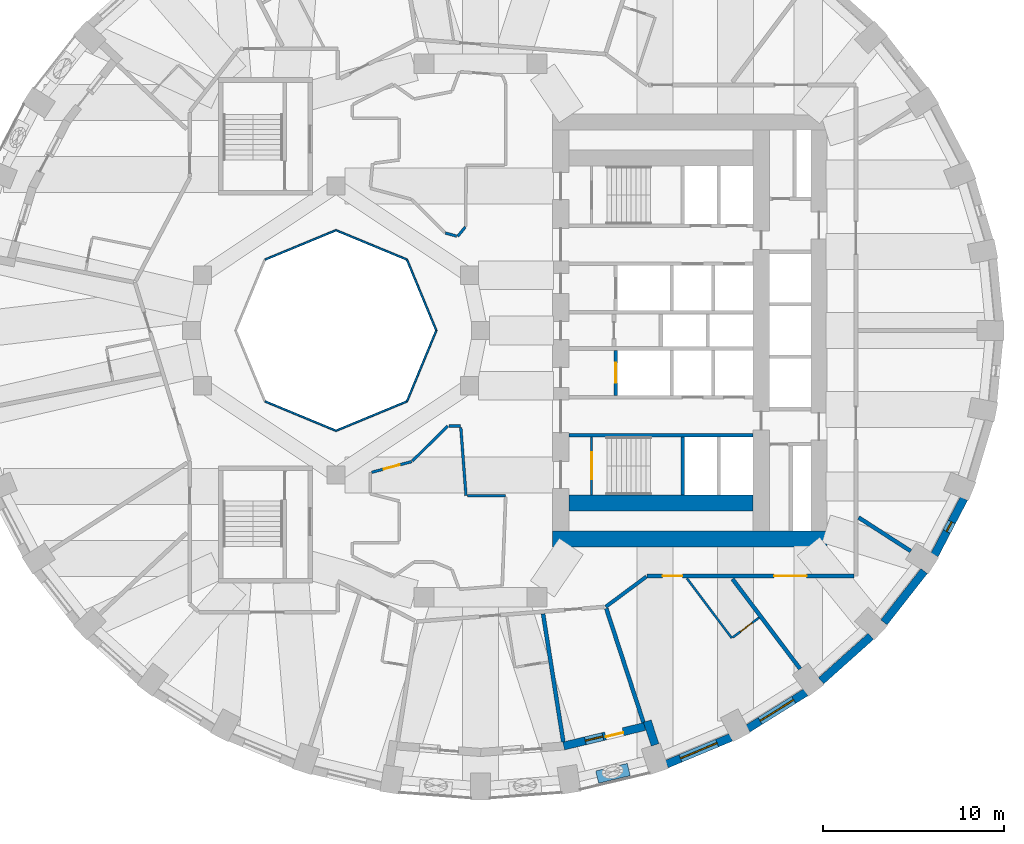
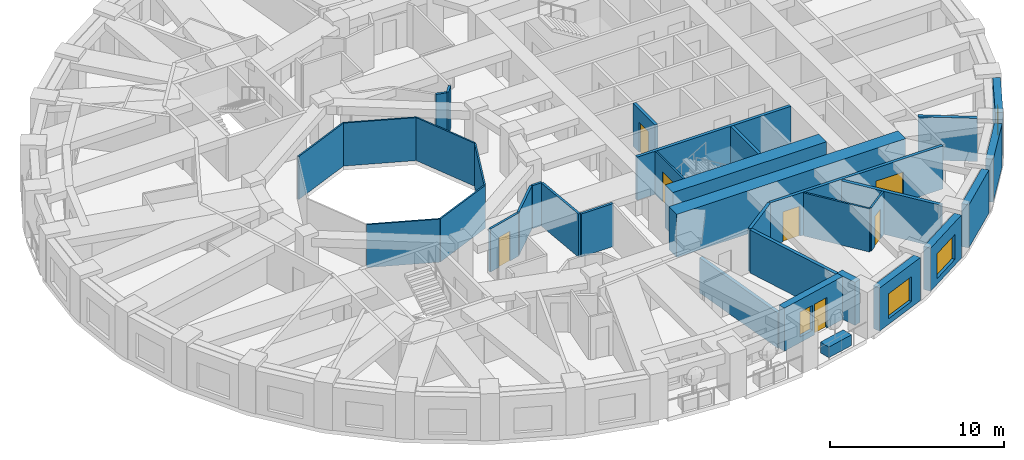
# One storey, part 5 of 13: 35 walls, 7 doors, 4 windows, 11 openings.
"""IFC4 building model written with IfcOpenShell, lengths in metres."""

from ifc_helpers import new_model, si_unit, direction, frame, frame_2d, origin, place, context, subcontext, project, spatial, rectangle, extrude, material, layer, layer_set, constituent, constituent_set, type_object, element, fill, save


model = new_model("IFC4")

# Units and contexts
model_context = context("Model", 3, precision=1e-05, world=origin(), true_north=direction((0.0, 1.0)))
body_context = subcontext(model_context, "Body", "Model", "MODEL_VIEW")
ifc_project = project(units=[si_unit("LENGTHUNIT", "METRE"), si_unit("AREAUNIT", "SQUARE_METRE"), si_unit("VOLUMEUNIT", "CUBIC_METRE"), si_unit("PLANEANGLEUNIT", "RADIAN"), si_unit("MASSUNIT", "GRAM", prefix="KILO")], contexts=[model_context])

# Site, building, storey
site_placement = place(None, origin())
site = spatial("IfcSite", under=ifc_project, at=site_placement, CompositionType="ELEMENT")
building_placement = place(site_placement, origin())
building = spatial("IfcBuilding", under=site, at=building_placement, Name="Taillehof Tower", CompositionType="ELEMENT")
storey_placement = place(building_placement, frame((0.0, 0.0, 31.60009765625)))
storey = spatial("IfcBuildingStorey", under=building, at=storey_placement, Name="L07", CompositionType="ELEMENT", Elevation=31.60009765625)

# Walls
ifc_material_1 = material(Name="Fire-resisting glass in steel frame", Category="steel")
ifc_layer_1 = layer(ifc_material_1, 0.10009765625)
ifc_layer_set_1 = layer_set([ifc_layer_1], Name="Atrium fire-resisting screen EI 60 100")
wall_type_1 = type_object("IfcWallType", Name="Atrium fire-resisting screen EI 60 100", PredefinedType="PARTITIONING", material=ifc_layer_set_1)
for number, where, z_axis, x_axis, name in (
    (1, (-2.44580078125, 0.0, 0.0), (0.0, 0.0, 1.0), (-0.382730523909, -0.923860025149, 0.0), "Atrium screen"),
    (2, (-4.07275390625, -3.92724609375, 0.0), (0.0, 0.0, 1.0), (-0.923860025149, -0.382730523909, 0.0), "Atrium screen"),
    (3, (-8.0, -5.55419921875, 0.0), (0.0, 0.0, 1.0), (-0.923860025149, 0.382730523909, 0.0), "Atrium screen"),
    (4, (-11.92724609375, 3.92724609375, 0.0), (0.0, 0.0, 1.0), (0.923860025149, 0.382730523909, 0.0), "Atrium screen"),
    (5, (-8.0, 5.55419921875, 0.0), (0.0, 0.0, 1.0), (0.923860025149, -0.382730523909, 0.0), "Atrium screen"),
    (6, (-4.07275390625, 3.92724609375, 0.0), (0.0, 0.0, 1.0), (0.382730523909, -0.923860025149, 0.0), "Atrium screen"),
):
    element("IfcWall", number, at=place(storey_placement, frame(where, z_axis=z_axis, x_axis=x_axis)), inside=storey, type_object=wall_type_1, Name=name, PredefinedType="PARTITIONING", context=body_context, shape_type="SweptSolid", body=[
        extrude(rectangle(XDim=4.2509765625, YDim=0.10009765625, at=frame_2d((2.12548828125, 0.0))), origin(), (0.0, 0.0, 1.0), 3.02001953125),
    ])

# Wall, opening, window
ifc_material_2 = material(Name="Brick masonry", Category="masonry")
ifc_layer_2 = layer(ifc_material_2, 0.449951171875)
ifc_layer_set_2 = layer_set([ifc_layer_2], Name="Brick infill wall 450")
wall_type_2 = type_object("IfcWallType", Name="Brick infill wall 450", PredefinedType="SOLIDWALL", material=ifc_layer_set_2)
wall_1_placement = place(storey_placement, frame((10.3154296875, -24.02099609375, 0.0), z_axis=(0.0, 0.0, 1.0), x_axis=(0.923031964282, 0.384723267966, 0.0)))
wall_1 = element("IfcWall", 7, at=wall_1_placement, inside=storey, type_object=wall_type_2, Name="Brick wall L07 bay 30", PredefinedType="SOLIDWALL", context=body_context, shape_type="SweptSolid", body=[
    extrude(rectangle(XDim=3.8564453125, YDim=0.449951171875, at=frame_2d((1.92822265625, 0.0))), origin(), (0.0, 0.0, 1.0), 3.02001953125),
])
opening_1_placement = place(wall_1_placement, frame((0.828125, 0.0, 0.39990234375)))
opening_1 = element("IfcOpeningElement", 8, at=opening_1_placement, cuts=wall_1, Name="Opening W1", PredefinedType="OPENING", context=body_context, shape_type="SweptSolid", body=[
    extrude(rectangle(XDim=2.199951171875, YDim=1.75, at=frame_2d((1.10009765625, 0.875))), frame((0.0, 0.23486328125, 0.0), z_axis=(0.0, -1.0, 0.0), x_axis=(1.0, 0.0, 0.0)), (0.0, 0.0, 1.0), 0.469970703125),
])
ifc_material_3 = material(Name="Aluminium window frame with clear double glazing", Category="aluminium")
window_type_1 = type_object("IfcWindowType", Name="Deep-set window 2200x1750", PartitioningType="SINGLE_PANEL", PredefinedType="WINDOW", material=ifc_material_3)
window_1_placement = place(opening_1_placement, origin())
window_1 = element("IfcWindow", 9, at=window_1_placement, inside=storey, type_object=window_type_1, Name="W1", OverallHeight=1.75, OverallWidth=2.199951171875, PartitioningType="SINGLE_PANEL", PredefinedType="WINDOW", context=body_context, shape_type="SweptSolid", body=[
    extrude(rectangle(XDim=2.199951171875, YDim=1.75, at=frame_2d((1.10009765625, 0.875))), frame((0.0, 0.034912109375, 0.0), z_axis=(0.0, -1.0, 0.0), x_axis=(1.0, 0.0, 0.0)), (0.0, 0.0, 1.0), 0.06005859375),
])
fill(opening_1, window_1)

wall_2_placement = place(storey_placement, frame((14.81689453125, -22.050537109375, 0.0), z_axis=(0.0, 0.0, 1.0), x_axis=(0.847635480093, 0.530579016629, 0.0)))
wall_2 = element("IfcWall", 10, at=wall_2_placement, inside=storey, type_object=wall_type_2, Name="Brick wall L07 bay 31", PredefinedType="SOLIDWALL", context=body_context, shape_type="SweptSolid", body=[
    extrude(rectangle(XDim=3.782470703125, YDim=0.449951171875, at=frame_2d((1.89111328125, 0.0))), origin(), (0.0, 0.0, 1.0), 3.02001953125),
])
opening_2_placement = place(wall_2_placement, frame((0.791259765625, 0.0, 0.39990234375)))
opening_2 = element("IfcOpeningElement", 11, at=opening_2_placement, cuts=wall_2, Name="Opening W1", PredefinedType="OPENING", context=body_context, shape_type="SweptSolid", body=[
    extrude(rectangle(XDim=2.199951171875, YDim=1.75, at=frame_2d((1.10009765625, 0.875))), frame((0.0, 0.23486328125, 0.0), z_axis=(0.0, -1.0, 0.0), x_axis=(1.0, 0.0, 0.0)), (0.0, 0.0, 1.0), 0.469970703125),
])
window_2_placement = place(opening_2_placement, origin())
window_2 = element("IfcWindow", 12, at=window_2_placement, inside=storey, type_object=window_type_1, Name="W1", OverallHeight=1.75, OverallWidth=2.199951171875, PartitioningType="SINGLE_PANEL", PredefinedType="WINDOW", context=body_context, shape_type="SweptSolid", body=[
    extrude(rectangle(XDim=2.199951171875, YDim=1.75, at=frame_2d((1.10009765625, 0.875))), frame((0.0, 0.034912109375, 0.0), z_axis=(0.0, -1.0, 0.0), x_axis=(1.0, 0.0, 0.0)), (0.0, 0.0, 1.0), 0.06005859375),
])
fill(opening_2, window_2)

# Walls
wall_3_placement = place(storey_placement, frame((18.87060546875, -19.406982421875, 0.0), z_axis=(0.0, 0.0, 1.0), x_axis=(0.745526233716, 0.66647628228, 0.0)))
element("IfcWall", 13, at=wall_3_placement, inside=storey, type_object=wall_type_2, Name="Brick wall L07 bay 32", PredefinedType="SOLIDWALL", context=body_context, shape_type="SweptSolid", body=[
    extrude(rectangle(XDim=3.69677734375, YDim=0.449951171875, at=frame_2d((1.848388671875, 0.0))), origin(), (0.0, 0.0, 1.0), 3.02001953125),
])
wall_4_placement = place(storey_placement, frame((22.3515625, -16.169677734375, 0.0), z_axis=(0.0, 0.0, 1.0), x_axis=(0.616661975264, 0.787228053529, 0.0)))
element("IfcWall", 14, at=wall_4_placement, inside=storey, type_object=wall_type_2, Name="Brick wall L07 bay 33", PredefinedType="SOLIDWALL", context=body_context, shape_type="SweptSolid", body=[
    extrude(rectangle(XDim=3.60986328125, YDim=0.449951171875, at=frame_2d((1.804931640625, 0.0))), origin(), (0.0, 0.0, 1.0), 3.02001953125),
])

# Wall, opening, window
wall_5_placement = place(storey_placement, frame((25.152099609375, -12.436767578125, 0.0), z_axis=(0.0, 0.0, 1.0), x_axis=(0.462492775226, 0.886623050041, 0.0)))
wall_5 = element("IfcWall", 15, at=wall_5_placement, inside=storey, type_object=wall_type_2, Name="Brick wall L07 bay 34", PredefinedType="SOLIDWALL", context=body_context, shape_type="SweptSolid", body=[
    extrude(rectangle(XDim=3.531982421875, YDim=0.449951171875, at=frame_2d((1.76611328125, 0.0))), origin(), (0.0, 0.0, 1.0), 3.02001953125),
])
opening_3_placement = place(wall_5_placement, frame((1.466064453125, 0.0, 0.39990234375)))
opening_3 = element("IfcOpeningElement", 16, at=opening_3_placement, cuts=wall_5, Name="Opening W6", PredefinedType="OPENING", context=body_context, shape_type="SweptSolid", body=[
    extrude(rectangle(XDim=0.60009765625, YDim=1.75, at=frame_2d((0.300048828125, 0.875))), frame((0.0, 0.23486328125, 0.0), z_axis=(0.0, -1.0, 0.0), x_axis=(1.0, 0.0, 0.0)), (0.0, 0.0, 1.0), 0.469970703125),
])
ifc_material_4 = material(Name="Aluminium window frame with clear double glazing", Category="aluminium")
window_type_2 = type_object("IfcWindowType", Name="Slot window 600x1750", PartitioningType="SINGLE_PANEL", PredefinedType="WINDOW", material=ifc_material_4)
window_3_placement = place(opening_3_placement, origin())
window_3 = element("IfcWindow", 17, at=window_3_placement, inside=storey, type_object=window_type_2, Name="W6", OverallHeight=1.75, OverallWidth=0.60009765625, PartitioningType="SINGLE_PANEL", PredefinedType="WINDOW", context=body_context, shape_type="SweptSolid", body=[
    extrude(rectangle(XDim=0.60009765625, YDim=1.75, at=frame_2d((0.300048828125, 0.875))), frame((0.0, 0.034912109375, 0.0), z_axis=(0.0, -1.0, 0.0), x_axis=(1.0, 0.0, 0.0)), (0.0, 0.0, 1.0), 0.06005859375),
])
fill(opening_3, window_3)

# Wall
wall_6_placement = place(storey_placement, frame((9.673583984375, -22.95556640625, 0.0), z_axis=(0.0, 0.0, 1.0), x_axis=(-0.310269011655, 0.950648799719, 0.0)))
element("IfcWall", 18, at=wall_6_placement, inside=storey, type_object=wall_type_2, Name="Brick reveal L07 pocket 8", PredefinedType="SOLIDWALL", context=body_context, shape_type="SweptSolid", body=[
    extrude(rectangle(XDim=1.390380859375, YDim=0.449951171875, at=frame_2d((0.6953125, 0.0))), origin(), (0.0, 0.0, 1.0), 3.02001953125),
])

# Wall, openings, door, window
wall_7_placement = place(storey_placement, frame((4.6083984375, -23.015625, 0.0), z_axis=(0.0, 0.0, 1.0), x_axis=(0.972343667289, 0.233554688847, 0.0)))
wall_7 = element("IfcWall", 19, at=wall_7_placement, inside=storey, type_object=wall_type_2, Name="Brick wall L07 pocket bay 29", PredefinedType="SOLIDWALL", context=body_context, shape_type="SweptSolid", body=[
    extrude(rectangle(XDim=4.62353515625, YDim=0.449951171875, at=frame_2d((2.311767578125, 0.0))), origin(), (0.0, 0.0, 1.0), 3.02001953125),
])
opening_4_placement = place(wall_7_placement, frame((1.23681640625, 0.0, 0.39990234375)))
opening_4 = element("IfcOpeningElement", 20, at=opening_4_placement, cuts=wall_7, Name="Opening W5", PredefinedType="OPENING", context=body_context, shape_type="SweptSolid", body=[
    extrude(rectangle(XDim=1.0, YDim=1.75, at=frame_2d((0.5, 0.875))), frame((0.0, 0.23486328125, 0.0), z_axis=(0.0, -1.0, 0.0), x_axis=(1.0, 0.0, 0.0)), (0.0, 0.0, 1.0), 0.469970703125),
])
opening_5_placement = place(wall_7_placement, frame((2.38671875, 0.0, 0.0)))
opening_5 = element("IfcOpeningElement", 21, at=opening_5_placement, cuts=wall_7, Name="Opening D0796", PredefinedType="OPENING", context=body_context, shape_type="SweptSolid", body=[
    extrude(rectangle(XDim=1.0, YDim=2.14990234375, at=frame_2d((0.5, 1.074951171875))), frame((0.0, 0.23486328125, 0.0), z_axis=(0.0, -1.0, 0.0), x_axis=(1.0, 0.0, 0.0)), (0.0, 0.0, 1.0), 0.469970703125),
])
ifc_material_5 = material(Name="Aluminium door frame with clear double glazing", Category="aluminium")
door_type_1 = type_object("IfcDoorType", Name="Balcony door 1000x2150", OperationType="SINGLE_SWING_RIGHT", PredefinedType="DOOR", material=ifc_material_5)
door_1_placement = place(opening_5_placement, frame((1.0, 0.0, 0.0), z_axis=(0.0, 0.0, 1.0), x_axis=(-1.0, 0.0, 0.0)))
door_1 = element("IfcDoor", 22, at=door_1_placement, inside=storey, type_object=door_type_1, Name="Balcony door L07 bay 29", OperationType="SINGLE_SWING_LEFT", OverallHeight=2.14990234375, OverallWidth=1.0, PredefinedType="DOOR", context=body_context, shape_type="SweptSolid", body=[
    extrude(rectangle(XDim=1.0, YDim=2.14990234375, at=frame_2d((0.5, 1.074951171875))), frame((0.0, 0.0751953125, 0.0), z_axis=(0.0, -1.0, 0.0), x_axis=(1.0, 0.0, 0.0)), (0.0, 0.0, 1.0), 0.050048828125),
])
fill(opening_5, door_1)
ifc_material_6 = material(Name="Aluminium window frame with clear double glazing", Category="aluminium")
window_type_3 = type_object("IfcWindowType", Name="Fixed window 1000x1750", PartitioningType="SINGLE_PANEL", PredefinedType="WINDOW", material=ifc_material_6)
window_4_placement = place(opening_4_placement, origin())
window_4 = element("IfcWindow", 23, at=window_4_placement, inside=storey, type_object=window_type_3, Name="W5", OverallHeight=1.75, OverallWidth=1.0, PartitioningType="SINGLE_PANEL", PredefinedType="WINDOW", context=body_context, shape_type="SweptSolid", body=[
    extrude(rectangle(XDim=1.0, YDim=1.75, at=frame_2d((0.5, 0.875))), frame((0.0, 0.034912109375, 0.0), z_axis=(0.0, -1.0, 0.0), x_axis=(1.0, 0.0, 0.0)), (0.0, 0.0, 1.0), 0.06005859375),
])
fill(opening_4, window_4)

# Wall, openings, doors
ifc_material_7 = material(Name="Gypsum board on steel studs, two layers each side", Category="steel")
ifc_layer_3 = layer(ifc_material_7, 0.199951171875)
ifc_layer_set_3 = layer_set([ifc_layer_3], Name="Compartment wall corridor 200")
wall_type_3 = type_object("IfcWallType", Name="Compartment wall corridor 200", PredefinedType="PARTITIONING", material=ifc_layer_set_3)
wall_8_placement = place(storey_placement, frame((20.699951171875, -13.60009765625, 0.0), z_axis=(0.0, 0.0, 1.0), x_axis=(-1.0, 0.0, 0.0)))
wall_8 = element("IfcWall", 24, at=wall_8_placement, inside=storey, type_object=wall_type_3, Name="Compartment wall", PredefinedType="PARTITIONING", context=body_context, shape_type="SweptSolid", body=[
    extrude(rectangle(XDim=11.462890625, YDim=0.199951171875, at=frame_2d((5.7314453125, 0.0))), origin(), (0.0, 0.0, 1.0), 3.02001953125),
])
opening_6_placement = place(wall_8_placement, frame((9.509033203125, 0.0, 0.0)))
opening_6 = element("IfcOpeningElement", 25, at=opening_6_placement, cuts=wall_8, Name="Opening D0760", PredefinedType="OPENING", context=body_context, shape_type="SweptSolid", body=[
    extrude(rectangle(XDim=1.10009765625, YDim=2.10009765625, at=frame_2d((0.550048828125, 1.050048828125))), frame((0.0, 0.10986328125, 0.0), z_axis=(0.0, -1.0, 0.0), x_axis=(1.0, 0.0, 0.0)), (0.0, 0.0, 1.0), 0.219970703125),
])
opening_7_placement = place(wall_8_placement, frame((2.6376953125, 0.0, 0.0)))
opening_7 = element("IfcOpeningElement", 26, at=opening_7_placement, cuts=wall_8, Name="Opening D0762", PredefinedType="OPENING", context=body_context, shape_type="SweptSolid", body=[
    extrude(rectangle(XDim=1.800048828125, YDim=2.10009765625, at=frame_2d((0.89990234375, 1.050048828125))), frame((0.0, 0.10986328125, 0.0), z_axis=(0.0, -1.0, 0.0), x_axis=(1.0, 0.0, 0.0)), (0.0, 0.0, 1.0), 0.219970703125),
])
ifc_material_8 = material(Name="Timber door leaf in steel frame", Category="steel")
door_type_2 = type_object("IfcDoorType", Name="Lounge and meeting room double door EI 30 1800 x 2100", OperationType="SINGLE_SWING_LEFT", PredefinedType="DOOR", material=ifc_material_8)
door_2_placement = place(opening_7_placement, origin())
door_2 = element("IfcDoor", 27, at=door_2_placement, inside=storey, type_object=door_type_2, Name="D0762", OperationType="DOUBLE_DOOR_SINGLE_SWING", OverallHeight=2.10009765625, OverallWidth=1.800048828125, PredefinedType="DOOR", context=body_context, shape_type="SweptSolid", body=[
    extrude(rectangle(XDim=1.800048828125, YDim=2.10009765625, at=frame_2d((0.89990234375, 1.050048828125))), frame((0.0, 0.02490234375, 0.0), z_axis=(0.0, -1.0, 0.0), x_axis=(1.0, 0.0, 0.0)), (0.0, 0.0, 1.0), 0.050048828125),
])
fill(opening_7, door_2)
ifc_material_9 = material(Name="Timber door leaf in steel frame", Category="steel")
door_type_3 = type_object("IfcDoorType", Name="Suite entrance door EI 30 1100 x 2100", OperationType="SINGLE_SWING_LEFT", PredefinedType="DOOR", material=ifc_material_9)
door_3_placement = place(opening_6_placement, origin())
door_3 = element("IfcDoor", 28, at=door_3_placement, inside=storey, type_object=door_type_3, Name="D0760", OperationType="SINGLE_SWING_LEFT", OverallHeight=2.10009765625, OverallWidth=1.10009765625, PredefinedType="DOOR", context=body_context, shape_type="SweptSolid", body=[
    extrude(rectangle(XDim=1.10009765625, YDim=2.10009765625, at=frame_2d((0.550048828125, 1.050048828125))), frame((0.0, 0.02490234375, 0.0), z_axis=(0.0, -1.0, 0.0), x_axis=(1.0, 0.0, 0.0)), (0.0, 0.0, 1.0), 0.050048828125),
])
fill(opening_6, door_3)

# Walls
wall_9_placement = place(storey_placement, frame((9.188720703125, -13.635986328125, 0.0), z_axis=(0.0, 0.0, 1.0), x_axis=(-0.8028261118, -0.596213245586, 0.0)))
element("IfcWall", 29, at=wall_9_placement, inside=storey, type_object=wall_type_3, Name="Compartment wall", PredefinedType="PARTITIONING", context=body_context, shape_type="SweptSolid", body=[
    extrude(rectangle(XDim=2.800537109375, YDim=0.199951171875, at=frame_2d((1.400390625, 0.0))), origin(), (0.0, 0.0, 1.0), 3.02001953125),
])
ifc_material_10 = material(Name="Gypsum board on double steel studs with mineral wool", Category="steel")
ifc_layer_4 = layer(ifc_material_10, 0.219970703125)
ifc_layer_set_4 = layer_set([ifc_layer_4], Name="Compartment wall guest room 220")
wall_type_4 = type_object("IfcWallType", Name="Compartment wall guest room 220", PredefinedType="PARTITIONING", material=ifc_layer_set_4)
wall_10_placement = place(storey_placement, frame((4.590576171875, -22.78857421875, 0.0), z_axis=(0.0, 0.0, 1.0), x_axis=(-0.156144168019, 0.987734275397, 0.0)))
element("IfcWall", 30, at=wall_10_placement, inside=storey, type_object=wall_type_4, Name="Compartment wall", PredefinedType="PARTITIONING", context=body_context, shape_type="SweptSolid", body=[
    extrude(rectangle(XDim=7.179931640625, YDim=0.219970703125, at=frame_2d((3.58984375, 0.0))), origin(), (0.0, 0.0, 1.0), 2.469970703125),
])
wall_11_placement = place(storey_placement, frame((9.033935546875, -21.72119140625, 0.0), z_axis=(0.0, 0.0, 1.0), x_axis=(-0.31029478083, 0.95064038889, 0.0)))
element("IfcWall", 31, at=wall_11_placement, inside=storey, type_object=wall_type_4, Name="Compartment wall", PredefinedType="PARTITIONING", context=body_context, shape_type="SweptSolid", body=[
    extrude(rectangle(XDim=6.6484375, YDim=0.219970703125, at=frame_2d((3.32421875, 0.0))), origin(), (0.0, 0.0, 1.0), 3.02001953125),
])
wall_12_placement = place(storey_placement, frame((17.707763671875, -18.7431640625, 0.0), z_axis=(0.0, 0.0, 1.0), x_axis=(-0.601177883261, 0.799115231164, 0.0)))
element("IfcWall", 32, at=wall_12_placement, inside=storey, type_object=wall_type_4, Name="Compartment wall", PredefinedType="PARTITIONING", context=body_context, shape_type="SweptSolid", body=[
    extrude(rectangle(XDim=6.231201171875, YDim=0.219970703125, at=frame_2d((3.11572265625, 0.0))), origin(), (0.0, 0.0, 1.0), 3.02001953125),
])
wall_13_placement = place(storey_placement, frame((23.834716796875, -12.218994140625, 0.0), z_axis=(0.0, 0.0, 1.0), x_axis=(-0.840694872373, 0.541509124176, 0.0)))
element("IfcWall", 33, at=wall_13_placement, inside=storey, type_object=wall_type_4, Name="Compartment wall", PredefinedType="PARTITIONING", context=body_context, shape_type="SweptSolid", body=[
    extrude(rectangle(XDim=3.430419921875, YDim=0.219970703125, at=frame_2d((1.71533203125, 0.0))), origin(), (0.0, 0.0, 1.0), 3.02001953125),
])
ifc_material_11 = material(Name="Gypsum board on steel studs, two layers each side", Category="steel")
ifc_layer_5 = layer(ifc_material_11, 0.14990234375)
ifc_layer_set_5 = layer_set([ifc_layer_5], Name="Compartment wall service room 150")
wall_type_5 = type_object("IfcWallType", Name="Compartment wall service room 150", PredefinedType="PARTITIONING", material=ifc_layer_set_5)
wall_14_placement = place(storey_placement, frame((-0.83837890625, 5.73095703125, 0.0), z_axis=(0.0, 0.0, 1.0), x_axis=(-0.634227442266, -0.773146526524, 0.0)))
element("IfcWall", 34, at=wall_14_placement, inside=storey, type_object=wall_type_5, Name="Compartment wall", PredefinedType="PARTITIONING", context=body_context, shape_type="SweptSolid", body=[
    extrude(rectangle(XDim=0.67138671875, YDim=0.14990234375, at=frame_2d((0.335693359375, 0.0))), origin(), (0.0, 0.0, 1.0), 3.02001953125),
])
wall_15_placement = place(storey_placement, frame((-1.322021484375, 5.22802734375, 0.0), z_axis=(0.0, 0.0, 1.0), x_axis=(-0.963895729021, 0.266279972163, 0.0)))
element("IfcWall", 35, at=wall_15_placement, inside=storey, type_object=wall_type_5, Name="Compartment wall", PredefinedType="PARTITIONING", context=body_context, shape_type="SweptSolid", body=[
    extrude(rectangle(XDim=0.646484375, YDim=0.14990234375, at=frame_2d((0.3232421875, 0.0))), origin(), (0.0, 0.0, 1.0), 3.02001953125),
])

# Wall, opening, door
wall_16_placement = place(storey_placement, frame((-6.02294921875, -7.856201171875, 0.0), z_axis=(0.0, 0.0, 1.0), x_axis=(0.965896736613, 0.258927584859, 0.0)))
wall_16 = element("IfcWall", 36, at=wall_16_placement, inside=storey, type_object=wall_type_5, Name="Compartment wall", PredefinedType="PARTITIONING", context=body_context, shape_type="SweptSolid", body=[
    extrude(rectangle(XDim=2.2939453125, YDim=0.14990234375, at=frame_2d((1.14697265625, 0.0))), origin(), (0.0, 0.0, 1.0), 3.02001953125),
])
opening_8_placement = place(wall_16_placement, frame((0.697021484375, 0.0, 0.0)))
opening_8 = element("IfcOpeningElement", 37, at=opening_8_placement, cuts=wall_16, Name="Opening D0767", PredefinedType="OPENING", context=body_context, shape_type="SweptSolid", body=[
    extrude(rectangle(XDim=0.89990234375, YDim=2.10009765625, at=frame_2d((0.449951171875, 1.050048828125))), frame((0.0, 0.0849609375, 0.0), z_axis=(0.0, -1.0, 0.0), x_axis=(1.0, 0.0, 0.0)), (0.0, 0.0, 1.0), 0.169921875),
])
ifc_material_12 = material(Name="Timber door leaf in steel frame", Category="steel")
door_type_4 = type_object("IfcDoorType", Name="Service room door EI 30 900 x 2100", OperationType="SINGLE_SWING_LEFT", PredefinedType="DOOR", material=ifc_material_12)
door_4_placement = place(opening_8_placement, origin())
door_4 = element("IfcDoor", 38, at=door_4_placement, inside=storey, type_object=door_type_4, Name="D0767", OperationType="SINGLE_SWING_RIGHT", OverallHeight=2.10009765625, OverallWidth=0.89990234375, PredefinedType="DOOR", context=body_context, shape_type="SweptSolid", body=[
    extrude(rectangle(XDim=0.89990234375, YDim=2.10009765625, at=frame_2d((0.449951171875, 1.050048828125))), frame((0.0, 0.02490234375, 0.0), z_axis=(0.0, -1.0, 0.0), x_axis=(1.0, 0.0, 0.0)), (0.0, 0.0, 1.0), 0.050048828125),
])
fill(opening_8, door_4)

# Walls
wall_17_placement = place(storey_placement, frame((-3.77880859375, -7.234375, 0.0), z_axis=(0.0, 0.0, 1.0), x_axis=(0.712684144815, 0.701485074487, 0.0)))
element("IfcWall", 39, at=wall_17_placement, inside=storey, type_object=wall_type_5, Name="Compartment wall", PredefinedType="PARTITIONING", context=body_context, shape_type="SweptSolid", body=[
    extrude(rectangle(XDim=2.7685546875, YDim=0.14990234375, at=frame_2d((1.38427734375, 0.0))), origin(), (0.0, 0.0, 1.0), 3.02001953125),
])
wall_18_placement = place(storey_placement, frame((-1.74560546875, -5.292236328125, 0.0), z_axis=(0.0, 0.0, 1.0), x_axis=(1.0, 0.0, 0.0)))
element("IfcWall", 40, at=wall_18_placement, inside=storey, type_object=wall_type_5, Name="Compartment wall", PredefinedType="PARTITIONING", context=body_context, shape_type="SweptSolid", body=[
    extrude(rectangle(XDim=0.651123046875, YDim=0.14990234375, at=frame_2d((0.32568359375, 0.0))), origin(), (0.0, 0.0, 1.0), 3.02001953125),
])
wall_19_placement = place(storey_placement, frame((-1.088623046875, -5.372314453125, 0.0), z_axis=(0.0, 0.0, 1.0), x_axis=(0.076169209517, -0.997094905975, 0.0)))
element("IfcWall", 41, at=wall_19_placement, inside=storey, type_object=wall_type_5, Name="Compartment wall", PredefinedType="PARTITIONING", context=body_context, shape_type="SweptSolid", body=[
    extrude(rectangle(XDim=3.78857421875, YDim=0.14990234375, at=frame_2d((1.894287109375, 0.0))), origin(), (0.0, 0.0, 1.0), 3.02001953125),
])
wall_20_placement = place(storey_placement, frame((-0.719970703125, -9.14990234375, 0.0), z_axis=(0.0, 0.0, 1.0), x_axis=(1.0, 0.0, 0.0)))
element("IfcWall", 42, at=wall_20_placement, inside=storey, type_object=wall_type_5, Name="Compartment wall", PredefinedType="PARTITIONING", context=body_context, shape_type="SweptSolid", body=[
    extrude(rectangle(XDim=2.119873046875, YDim=0.14990234375, at=frame_2d((1.06005859375, 0.0))), origin(), (0.0, 0.0, 1.0), 3.02001953125),
])
ifc_material_13 = material(Name="Concrete C80/95", Category="concrete")
ifc_layer_6 = layer(ifc_material_13, 0.89990234375)
ifc_layer_set_6 = layer_set([ifc_layer_6], Name="Core wall C80/95 900")
wall_type_6 = type_object("IfcWallType", Name="Core wall C80/95 900", PredefinedType="SHEAR", material=ifc_layer_set_6)
wall_21_placement = place(storey_placement, frame((4.0, -11.550048828125, 0.0), z_axis=(0.0, 0.0, 1.0), x_axis=(1.0, 0.0, 0.0)))
element("IfcWall", 43, at=wall_21_placement, inside=storey, type_object=wall_type_6, Name="Core wall CW04", PredefinedType="SHEAR", context=body_context, shape_type="SweptSolid", body=[
    extrude(rectangle(XDim=15.199951171875, YDim=0.89990234375, at=frame_2d((7.60009765625, 0.0))), origin(), (0.0, 0.0, 1.0), 3.02001953125),
])
wall_22_placement = place(storey_placement, frame((4.89990234375, -9.550048828125, 0.0), z_axis=(0.0, 0.0, 1.0), x_axis=(1.0, 0.0, 0.0)))
element("IfcWall", 44, at=wall_22_placement, inside=storey, type_object=wall_type_6, Name="Core wall CW07", PredefinedType="SHEAR", context=body_context, shape_type="SweptSolid", body=[
    extrude(rectangle(XDim=10.2001953125, YDim=0.89990234375, at=frame_2d((5.10009765625, 0.0))), origin(), (0.0, 0.0, 1.0), 3.02001953125),
])
ifc_material_14 = material(Name="Gypsum board on steel studs, moisture resistant", Category="steel")
ifc_layer_7 = layer(ifc_material_14, 0.1201171875)
ifc_layer_set_7 = layer_set([ifc_layer_7], Name="En-suite wall 120")
wall_type_7 = type_object("IfcWallType", Name="En-suite wall 120", PredefinedType="PARTITIONING", material=ifc_layer_set_7)
wall_23_placement = place(storey_placement, frame((11.43505859375, -13.73193359375, 0.0), z_axis=(0.0, 0.0, 1.0), x_axis=(0.601178939522, -0.799114436533, 0.0)))
element("IfcWall", 45, at=wall_23_placement, inside=storey, type_object=wall_type_7, Name="En-suite wall", PredefinedType="PARTITIONING", context=body_context, shape_type="SweptSolid", body=[
    extrude(rectangle(XDim=4.139404296875, YDim=0.1201171875, at=frame_2d((2.06982421875, 0.0))), origin(), (0.0, 0.0, 1.0), 3.02001953125),
])

# Wall, opening, door
wall_24_placement = place(storey_placement, frame((13.97119140625, -17.00390625, 0.0), z_axis=(0.0, 0.0, 1.0), x_axis=(0.799231057954, 0.60102388971, 0.0)))
wall_24 = element("IfcWall", 46, at=wall_24_placement, inside=storey, type_object=wall_type_7, Name="En-suite wall", PredefinedType="PARTITIONING", context=body_context, shape_type="SweptSolid", body=[
    extrude(rectangle(XDim=1.830322265625, YDim=0.1201171875, at=frame_2d((0.9150390625, 0.0))), origin(), (0.0, 0.0, 1.0), 3.02001953125),
])
opening_9_placement = place(wall_24_placement, frame((0.540283203125, 0.0, 0.0)))
opening_9 = element("IfcOpeningElement", 47, at=opening_9_placement, cuts=wall_24, Name="Opening D0761", PredefinedType="OPENING", context=body_context, shape_type="SweptSolid", body=[
    extrude(rectangle(XDim=0.800048828125, YDim=2.10009765625, at=frame_2d((0.39990234375, 1.050048828125))), frame((0.0, 0.070068359375, 0.0), z_axis=(0.0, -1.0, 0.0), x_axis=(1.0, 0.0, 0.0)), (0.0, 0.0, 1.0), 0.14013671875),
])
ifc_material_15 = material(Name="Timber door leaf in steel frame", Category="steel")
door_type_5 = type_object("IfcDoorType", Name="En-suite door 800 x 2100", OperationType="SINGLE_SWING_LEFT", PredefinedType="DOOR", material=ifc_material_15)
door_5_placement = place(opening_9_placement, origin())
door_5 = element("IfcDoor", 48, at=door_5_placement, inside=storey, type_object=door_type_5, Name="D0761", OperationType="SINGLE_SWING_LEFT", OverallHeight=2.10009765625, OverallWidth=0.800048828125, PredefinedType="DOOR", context=body_context, shape_type="SweptSolid", body=[
    extrude(rectangle(XDim=0.800048828125, YDim=2.10009765625, at=frame_2d((0.39990234375, 1.050048828125))), frame((0.0, 0.02490234375, 0.0), z_axis=(0.0, -1.0, 0.0), x_axis=(1.0, 0.0, 0.0)), (0.0, 0.0, 1.0), 0.050048828125),
])
fill(opening_9, door_5)

# Walls
ifc_material_16 = material(Name="Concrete C30/37 precast", Category="concrete")
ifc_constituent_1 = constituent(ifc_material_16, Name="Structure", Category="concrete")
ifc_material_17 = material(Name="Insulated lining")
ifc_constituent_2 = constituent(ifc_material_17, Name="Lining")
ifc_constituent_set = constituent_set(constituents=[ifc_constituent_1, ifc_constituent_2], Name="Planter trough 700x750")
wall_type_8 = type_object("IfcWallType", Name="Planter trough 700x750", PredefinedType="USERDEFINED", material=ifc_constituent_set)
wall_25_placement = place(storey_placement, frame((6.464599609375, -24.7373046875, 0.0), z_axis=(0.0, 0.0, 1.0), x_axis=(0.972504142103, 0.232885580473, 0.0)))
element("IfcWall", 49, at=wall_25_placement, inside=storey, type_object=wall_type_8, Name="Planter L07 bay 29", ObjectType="PLANTER", PredefinedType="USERDEFINED", context=body_context, shape_type="SweptSolid", body=[
    extrude(rectangle(XDim=1.800048828125, YDim=0.699951171875, at=frame_2d((0.89990234375, 0.0))), origin(), (0.0, 0.0, 1.0), 0.75),
])
ifc_material_18 = material(Name="Concrete C50/60", Category="concrete")
ifc_layer_8 = layer(ifc_material_18, 0.199951171875)
ifc_layer_set_8 = layer_set([ifc_layer_8], Name="Shaft wall C50/60 200")
wall_type_9 = type_object("IfcWallType", Name="Shaft wall C50/60 200", PredefinedType="SHEAR", material=ifc_layer_set_8)
wall_26_placement = place(storey_placement, frame((4.89990234375, -5.800048828125, 0.0), z_axis=(0.0, 0.0, 1.0), x_axis=(1.0, 0.0, 0.0)))
element("IfcWall", 50, at=wall_26_placement, inside=storey, type_object=wall_type_9, Name="Shaft wall SW", PredefinedType="SHEAR", context=body_context, shape_type="SweptSolid", body=[
    extrude(rectangle(XDim=10.2001953125, YDim=0.199951171875, at=frame_2d((5.10009765625, 0.0))), origin(), (0.0, 0.0, 1.0), 3.02001953125),
])
wall_27_placement = place(storey_placement, frame((11.199951171875, -9.10009765625, 0.0), z_axis=(0.0, 0.0, 1.0), x_axis=(0.0, 1.0, 0.0)))
element("IfcWall", 51, at=wall_27_placement, inside=storey, type_object=wall_type_9, Name="Shaft wall SW", PredefinedType="SHEAR", context=body_context, shape_type="SweptSolid", body=[
    extrude(rectangle(XDim=3.2001953125, YDim=0.199951171875, at=frame_2d((1.60009765625, 0.0))), origin(), (0.0, 0.0, 1.0), 3.02001953125),
])

# Wall, opening, door
wall_28_placement = place(storey_placement, frame((7.5, -3.60009765625, 0.0), z_axis=(0.0, 0.0, 1.0), x_axis=(0.0, 1.0, 0.0)))
wall_28 = element("IfcWall", 52, at=wall_28_placement, inside=storey, type_object=wall_type_9, Name="Shaft wall SW", PredefinedType="SHEAR", context=body_context, shape_type="SweptSolid", body=[
    extrude(rectangle(XDim=2.5, YDim=0.199951171875, at=frame_2d((1.25, 0.0))), origin(), (0.0, 0.0, 1.0), 3.02001953125),
])
opening_10_placement = place(wall_28_placement, frame((0.699951171875, 0.0, 0.0)))
opening_10 = element("IfcOpeningElement", 53, at=opening_10_placement, cuts=wall_28, Name="Opening LD1", PredefinedType="OPENING", context=body_context, shape_type="SweptSolid", body=[
    extrude(rectangle(XDim=1.10009765625, YDim=2.10009765625, at=frame_2d((0.550048828125, 1.050048828125))), frame((0.0, 0.10986328125, 0.0), z_axis=(0.0, -1.0, 0.0), x_axis=(1.0, 0.0, 0.0)), (0.0, 0.0, 1.0), 0.219970703125),
])
ifc_material_19 = material(Name="Stainless steel", Category="steel")
door_type_6 = type_object("IfcDoorType", Name="Lift landing door LD1 1100x2100", OperationType="DOUBLE_DOOR_SLIDING", PredefinedType="DOOR", material=ifc_material_19)
door_6_placement = place(opening_10_placement, origin())
door_6 = element("IfcDoor", 54, at=door_6_placement, inside=storey, type_object=door_type_6, Name="Landing door FF2", OperationType="DOUBLE_DOOR_SLIDING", OverallHeight=2.10009765625, OverallWidth=1.10009765625, PredefinedType="DOOR", context=body_context, shape_type="SweptSolid", body=[
    extrude(rectangle(XDim=1.10009765625, YDim=2.10009765625, at=frame_2d((0.550048828125, 1.050048828125))), frame((0.0, 0.02490234375, 0.0), z_axis=(0.0, -1.0, 0.0), x_axis=(1.0, 0.0, 0.0)), (0.0, 0.0, 1.0), 0.050048828125),
])
fill(opening_10, door_6)

ifc_material_20 = material(Name="Concrete C50/60", Category="concrete")
ifc_layer_9 = layer(ifc_material_20, 0.1201171875)
ifc_layer_set_9 = layer_set([ifc_layer_9], Name="Stair lobby wall C50/60 120")
wall_type_10 = type_object("IfcWallType", Name="Stair lobby wall C50/60 120", PredefinedType="SHEAR", material=ifc_layer_set_9)
wall_29_placement = place(storey_placement, frame((6.159912109375, -9.10009765625, 0.0), z_axis=(0.0, 0.0, 1.0), x_axis=(0.0, 1.0, 0.0)))
wall_29 = element("IfcWall", 55, at=wall_29_placement, inside=storey, type_object=wall_type_10, Name="Compartment wall SW", PredefinedType="SHEAR", context=body_context, shape_type="SweptSolid", body=[
    extrude(rectangle(XDim=3.2001953125, YDim=0.1201171875, at=frame_2d((1.60009765625, 0.0))), origin(), (0.0, 0.0, 1.0), 3.02001953125),
])
opening_11_placement = place(wall_29_placement, frame((0.85009765625, 0.0, 0.0)))
opening_11 = element("IfcOpeningElement", 56, at=opening_11_placement, cuts=wall_29, Name="Opening D0711", PredefinedType="OPENING", context=body_context, shape_type="SweptSolid", body=[
    extrude(rectangle(XDim=1.5, YDim=2.10009765625, at=frame_2d((0.75, 1.050048828125))), frame((0.0, 0.070068359375, 0.0), z_axis=(0.0, -1.0, 0.0), x_axis=(1.0, 0.0, 0.0)), (0.0, 0.0, 1.0), 0.14013671875),
])
ifc_material_21 = material(Name="Steel-faced fire door", Category="steel")
door_type_7 = type_object("IfcDoorType", Name="Stair door 1500x2100", OperationType="DOUBLE_DOOR_SINGLE_SWING", PredefinedType="DOOR", material=ifc_material_21)
door_7_placement = place(opening_11_placement, origin())
door_7 = element("IfcDoor", 57, at=door_7_placement, inside=storey, type_object=door_type_7, Name="Stair lobby door S2", OperationType="DOUBLE_DOOR_SINGLE_SWING", OverallHeight=2.10009765625, OverallWidth=1.5, PredefinedType="DOOR", context=body_context, shape_type="SweptSolid", body=[
    extrude(rectangle(XDim=1.5, YDim=2.10009765625, at=frame_2d((0.75, 1.050048828125))), frame((0.0, 0.02490234375, 0.0), z_axis=(0.0, -1.0, 0.0), x_axis=(1.0, 0.0, 0.0)), (0.0, 0.0, 1.0), 0.050048828125),
])
fill(opening_11, door_7)

save(model, "model.ifc")
